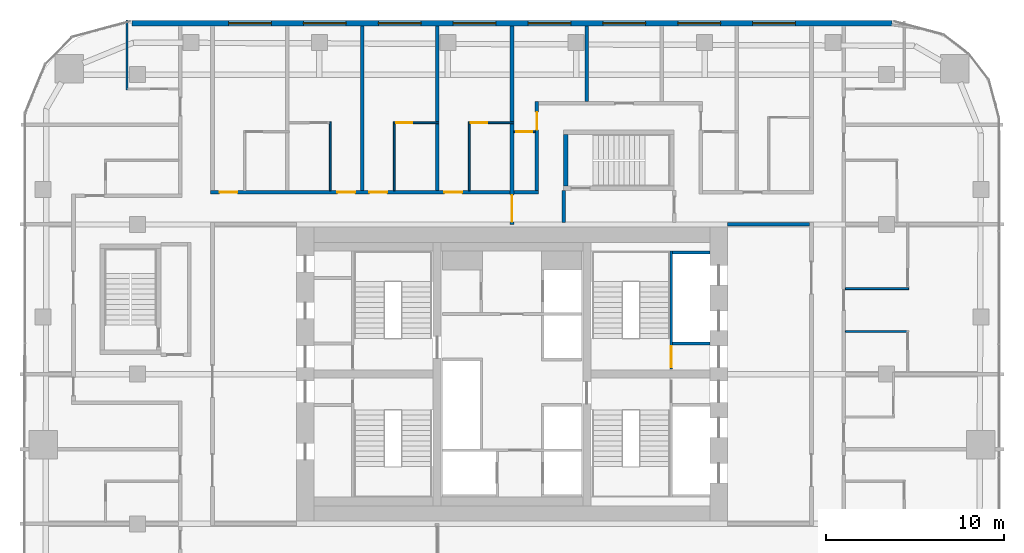
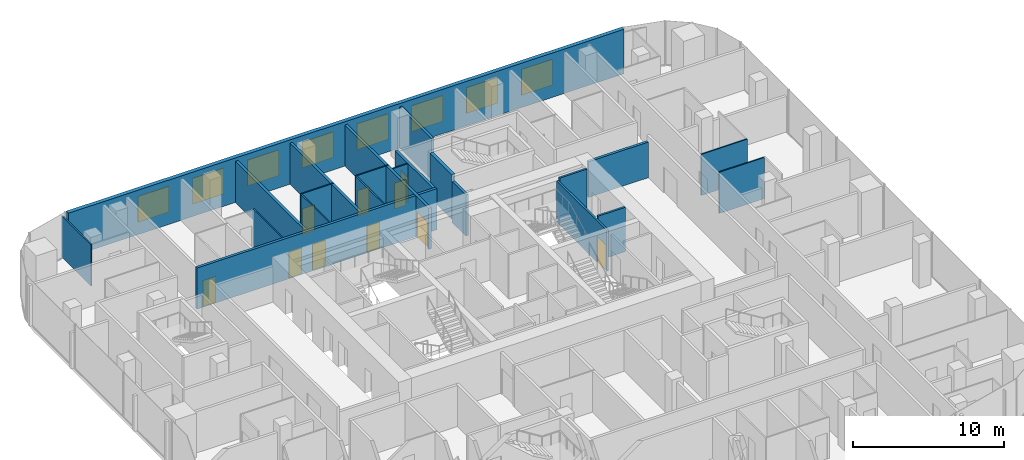
# One storey, part 19 of 23: 22 walls, 10 doors, 8 windows, 18 openings.
"""IFC4 building model written with IfcOpenShell, lengths in metres."""

from ifc_helpers import new_model, si_unit, direction, frame, frame_2d, origin, place, context, subcontext, project, spatial, rectangle, extrude, material, layer, layer_set, type_object, element, fill, save


model = new_model("IFC4")

# Units and contexts
model_context = context("Model", 3, precision=1e-05, world=origin(), true_north=direction((0.0, 1.0)))
body_context = subcontext(model_context, "Body", "Model", "MODEL_VIEW")
ifc_project = project(units=[si_unit("LENGTHUNIT", "METRE"), si_unit("AREAUNIT", "SQUARE_METRE"), si_unit("VOLUMEUNIT", "CUBIC_METRE"), si_unit("PLANEANGLEUNIT", "RADIAN"), si_unit("MASSUNIT", "GRAM", prefix="KILO")], contexts=[model_context])

# Site, building, storey
site_placement = place(None, origin())
site = spatial("IfcSite", under=ifc_project, at=site_placement, CompositionType="ELEMENT")
building_placement = place(site_placement, origin())
building = spatial("IfcBuilding", under=site, at=building_placement, Name="Marenta Gate Hotel Tower", CompositionType="ELEMENT")
storey_placement = place(building_placement, frame((0.0, 0.0, 119.300048828125)))
storey = spatial("IfcBuildingStorey", under=building, at=storey_placement, Name="L26", CompositionType="ELEMENT", Elevation=119.300048828125)

# Wall, openings, windows
ifc_material_1 = material(Name="Concrete C40 board-marked", Category="concrete")
ifc_layer_1 = layer(ifc_material_1, 0.300048828125)
ifc_layer_set_1 = layer_set([ifc_layer_1], Name="Concrete C40 board-marked")
wall_type_1 = type_object("IfcWallType", Name="Board-marked concrete wall 300 mm", PredefinedType="NOTDEFINED", material=ifc_layer_set_1)
wall_1_placement = place(storey_placement, frame((21.305908203125, 28.090087890625, 0.0), z_axis=(0.0, 0.0, 1.0), x_axis=(-1.0, 0.0, 0.0)))
wall_1 = element("IfcWall", 1, at=wall_1_placement, inside=storey, type_object=wall_type_1, Name="L26-CLD-N00", PredefinedType="NOTDEFINED", context=body_context, shape_type="SweptSolid", body=[
    extrude(rectangle(XDim=42.61181640625, YDim=0.300048828125, at=frame_2d((21.305908203125, 0.0))), origin(), (0.0, 0.0, 1.0), 3.599853515625),
])
opening_1_placement = place(wall_1_placement, frame((5.406005859375, 0.0, 0.89990234375)))
opening_1 = element("IfcOpeningElement", 2, at=opening_1_placement, cuts=wall_1, Name="Opening W1", PredefinedType="OPENING", context=body_context, shape_type="SweptSolid", body=[
    extrude(rectangle(XDim=2.39990234375, YDim=2.10009765625, at=frame_2d((1.199951171875, 1.050048828125))), frame((0.0, 0.14990234375, 0.0), z_axis=(0.0, -1.0, 0.0), x_axis=(1.0, 0.0, 0.0)), (0.0, 0.0, 1.0), 0.300048828125),
])
opening_2_placement = place(wall_1_placement, frame((9.60595703125, 0.0, 0.89990234375)))
opening_2 = element("IfcOpeningElement", 3, at=opening_2_placement, cuts=wall_1, Name="Opening W1", PredefinedType="OPENING", context=body_context, shape_type="SweptSolid", body=[
    extrude(rectangle(XDim=2.39990234375, YDim=2.10009765625, at=frame_2d((1.199951171875, 1.050048828125))), frame((0.0, 0.14990234375, 0.0), z_axis=(0.0, -1.0, 0.0), x_axis=(1.0, 0.0, 0.0)), (0.0, 0.0, 1.0), 0.300048828125),
])
opening_3_placement = place(wall_1_placement, frame((13.805908203125, 0.0, 0.89990234375)))
opening_3 = element("IfcOpeningElement", 4, at=opening_3_placement, cuts=wall_1, Name="Opening W1", PredefinedType="OPENING", context=body_context, shape_type="SweptSolid", body=[
    extrude(rectangle(XDim=2.39990234375, YDim=2.10009765625, at=frame_2d((1.199951171875, 1.050048828125))), frame((0.0, 0.14990234375, 0.0), z_axis=(0.0, -1.0, 0.0), x_axis=(1.0, 0.0, 0.0)), (0.0, 0.0, 1.0), 0.300048828125),
])
opening_4_placement = place(wall_1_placement, frame((18.005859375, 0.0, 0.89990234375)))
opening_4 = element("IfcOpeningElement", 5, at=opening_4_placement, cuts=wall_1, Name="Opening W1", PredefinedType="OPENING", context=body_context, shape_type="SweptSolid", body=[
    extrude(rectangle(XDim=2.39990234375, YDim=2.10009765625, at=frame_2d((1.199951171875, 1.050048828125))), frame((0.0, 0.14990234375, 0.0), z_axis=(0.0, -1.0, 0.0), x_axis=(1.0, 0.0, 0.0)), (0.0, 0.0, 1.0), 0.300048828125),
])
opening_5_placement = place(wall_1_placement, frame((22.205810546875, 0.0, 0.89990234375)))
opening_5 = element("IfcOpeningElement", 6, at=opening_5_placement, cuts=wall_1, Name="Opening W1", PredefinedType="OPENING", context=body_context, shape_type="SweptSolid", body=[
    extrude(rectangle(XDim=2.39990234375, YDim=2.10009765625, at=frame_2d((1.199951171875, 1.050048828125))), frame((0.0, 0.14990234375, 0.0), z_axis=(0.0, -1.0, 0.0), x_axis=(1.0, 0.0, 0.0)), (0.0, 0.0, 1.0), 0.300048828125),
])
opening_6_placement = place(wall_1_placement, frame((26.406005859375, 0.0, 0.89990234375)))
opening_6 = element("IfcOpeningElement", 7, at=opening_6_placement, cuts=wall_1, Name="Opening W1", PredefinedType="OPENING", context=body_context, shape_type="SweptSolid", body=[
    extrude(rectangle(XDim=2.39990234375, YDim=2.10009765625, at=frame_2d((1.199951171875, 1.050048828125))), frame((0.0, 0.14990234375, 0.0), z_axis=(0.0, -1.0, 0.0), x_axis=(1.0, 0.0, 0.0)), (0.0, 0.0, 1.0), 0.300048828125),
])
opening_7_placement = place(wall_1_placement, frame((30.60595703125, 0.0, 0.89990234375)))
opening_7 = element("IfcOpeningElement", 8, at=opening_7_placement, cuts=wall_1, Name="Opening W1", PredefinedType="OPENING", context=body_context, shape_type="SweptSolid", body=[
    extrude(rectangle(XDim=2.39990234375, YDim=2.10009765625, at=frame_2d((1.199951171875, 1.050048828125))), frame((0.0, 0.14990234375, 0.0), z_axis=(0.0, -1.0, 0.0), x_axis=(1.0, 0.0, 0.0)), (0.0, 0.0, 1.0), 0.300048828125),
])
opening_8_placement = place(wall_1_placement, frame((34.805908203125, 0.0, 0.89990234375)))
opening_8 = element("IfcOpeningElement", 9, at=opening_8_placement, cuts=wall_1, Name="Opening W1", PredefinedType="OPENING", context=body_context, shape_type="SweptSolid", body=[
    extrude(rectangle(XDim=2.39990234375, YDim=2.10009765625, at=frame_2d((1.199951171875, 1.050048828125))), frame((0.0, 0.14990234375, 0.0), z_axis=(0.0, -1.0, 0.0), x_axis=(1.0, 0.0, 0.0)), (0.0, 0.0, 1.0), 0.300048828125),
])
ifc_material_2 = material(Name="Tinted insulated glass in bronze anodised frame", Category="glass")
window_type = type_object("IfcWindowType", Name="Window W1 2400x2100 bronze frame", PartitioningType="SINGLE_PANEL", PredefinedType="WINDOW", material=ifc_material_2)
window_1_placement = place(opening_1_placement, origin())
window_1 = element("IfcWindow", 10, at=window_1_placement, inside=storey, type_object=window_type, Name="Window W1", OverallHeight=2.10009765625, OverallWidth=2.39990234375, PartitioningType="SINGLE_PANEL", PredefinedType="WINDOW", context=body_context, shape_type="SweptSolid", body=[
    extrude(rectangle(XDim=2.39990234375, YDim=2.10009765625, at=frame_2d((1.199951171875, 1.050048828125))), frame((0.0, 0.030029296875, 0.0), z_axis=(0.0, -1.0, 0.0), x_axis=(1.0, 0.0, 0.0)), (0.0, 0.0, 1.0), 0.06005859375),
])
fill(opening_1, window_1)
window_2_placement = place(opening_2_placement, origin())
window_2 = element("IfcWindow", 11, at=window_2_placement, inside=storey, type_object=window_type, Name="Window W1", OverallHeight=2.10009765625, OverallWidth=2.39990234375, PartitioningType="SINGLE_PANEL", PredefinedType="WINDOW", context=body_context, shape_type="SweptSolid", body=[
    extrude(rectangle(XDim=2.39990234375, YDim=2.10009765625, at=frame_2d((1.199951171875, 1.050048828125))), frame((0.0, 0.030029296875, 0.0), z_axis=(0.0, -1.0, 0.0), x_axis=(1.0, 0.0, 0.0)), (0.0, 0.0, 1.0), 0.06005859375),
])
fill(opening_2, window_2)
window_3_placement = place(opening_3_placement, origin())
window_3 = element("IfcWindow", 12, at=window_3_placement, inside=storey, type_object=window_type, Name="Window W1", OverallHeight=2.10009765625, OverallWidth=2.39990234375, PartitioningType="SINGLE_PANEL", PredefinedType="WINDOW", context=body_context, shape_type="SweptSolid", body=[
    extrude(rectangle(XDim=2.39990234375, YDim=2.10009765625, at=frame_2d((1.199951171875, 1.050048828125))), frame((0.0, 0.030029296875, 0.0), z_axis=(0.0, -1.0, 0.0), x_axis=(1.0, 0.0, 0.0)), (0.0, 0.0, 1.0), 0.06005859375),
])
fill(opening_3, window_3)
window_4_placement = place(opening_4_placement, origin())
window_4 = element("IfcWindow", 13, at=window_4_placement, inside=storey, type_object=window_type, Name="Window W1", OverallHeight=2.10009765625, OverallWidth=2.39990234375, PartitioningType="SINGLE_PANEL", PredefinedType="WINDOW", context=body_context, shape_type="SweptSolid", body=[
    extrude(rectangle(XDim=2.39990234375, YDim=2.10009765625, at=frame_2d((1.199951171875, 1.050048828125))), frame((0.0, 0.030029296875, 0.0), z_axis=(0.0, -1.0, 0.0), x_axis=(1.0, 0.0, 0.0)), (0.0, 0.0, 1.0), 0.06005859375),
])
fill(opening_4, window_4)
window_5_placement = place(opening_5_placement, origin())
window_5 = element("IfcWindow", 14, at=window_5_placement, inside=storey, type_object=window_type, Name="Window W1", OverallHeight=2.10009765625, OverallWidth=2.39990234375, PartitioningType="SINGLE_PANEL", PredefinedType="WINDOW", context=body_context, shape_type="SweptSolid", body=[
    extrude(rectangle(XDim=2.39990234375, YDim=2.10009765625, at=frame_2d((1.199951171875, 1.050048828125))), frame((0.0, 0.030029296875, 0.0), z_axis=(0.0, -1.0, 0.0), x_axis=(1.0, 0.0, 0.0)), (0.0, 0.0, 1.0), 0.06005859375),
])
fill(opening_5, window_5)
window_6_placement = place(opening_6_placement, origin())
window_6 = element("IfcWindow", 15, at=window_6_placement, inside=storey, type_object=window_type, Name="Window W1", OverallHeight=2.10009765625, OverallWidth=2.39990234375, PartitioningType="SINGLE_PANEL", PredefinedType="WINDOW", context=body_context, shape_type="SweptSolid", body=[
    extrude(rectangle(XDim=2.39990234375, YDim=2.10009765625, at=frame_2d((1.199951171875, 1.050048828125))), frame((0.0, 0.030029296875, 0.0), z_axis=(0.0, -1.0, 0.0), x_axis=(1.0, 0.0, 0.0)), (0.0, 0.0, 1.0), 0.06005859375),
])
fill(opening_6, window_6)
window_7_placement = place(opening_7_placement, origin())
window_7 = element("IfcWindow", 16, at=window_7_placement, inside=storey, type_object=window_type, Name="Window W1", OverallHeight=2.10009765625, OverallWidth=2.39990234375, PartitioningType="SINGLE_PANEL", PredefinedType="WINDOW", context=body_context, shape_type="SweptSolid", body=[
    extrude(rectangle(XDim=2.39990234375, YDim=2.10009765625, at=frame_2d((1.199951171875, 1.050048828125))), frame((0.0, 0.030029296875, 0.0), z_axis=(0.0, -1.0, 0.0), x_axis=(1.0, 0.0, 0.0)), (0.0, 0.0, 1.0), 0.06005859375),
])
fill(opening_7, window_7)
window_8_placement = place(opening_8_placement, origin())
window_8 = element("IfcWindow", 17, at=window_8_placement, inside=storey, type_object=window_type, Name="Window W1", OverallHeight=2.10009765625, OverallWidth=2.39990234375, PartitioningType="SINGLE_PANEL", PredefinedType="WINDOW", context=body_context, shape_type="SweptSolid", body=[
    extrude(rectangle(XDim=2.39990234375, YDim=2.10009765625, at=frame_2d((1.199951171875, 1.050048828125))), frame((0.0, 0.030029296875, 0.0), z_axis=(0.0, -1.0, 0.0), x_axis=(1.0, 0.0, 0.0)), (0.0, 0.0, 1.0), 0.06005859375),
])
fill(opening_8, window_8)

# Wall, opening, door
ifc_material_3 = material(Name="Concrete blockwork", Category="masonry")
ifc_layer_2 = layer(ifc_material_3, 0.199951171875)
ifc_layer_set_2 = layer_set([ifc_layer_2], Name="Concrete blockwork")
wall_type_2 = type_object("IfcWallType", Name="Compartment wall 200 REI 180", PredefinedType="PARTITIONING", material=ifc_layer_set_2)
wall_2_placement = place(storey_placement, frame((0.0, 16.800048828125, 0.0), z_axis=(0.0, 0.0, 1.0), x_axis=(0.0, 1.0, 0.0)))
wall_2 = element("IfcWall", 18, at=wall_2_placement, inside=storey, type_object=wall_type_2, Name="L26-PTN-W064", PredefinedType="PARTITIONING", context=body_context, shape_type="SweptSolid", body=[
    extrude(rectangle(XDim=11.139892578125, YDim=0.199951171875, at=frame_2d((5.56982421875, 0.0))), origin(), (0.0, 0.0, 1.0), 3.33984375),
])
opening_9_placement = place(wall_2_placement, frame((0.14990234375, 0.0, 0.0)))
opening_9 = element("IfcOpeningElement", 19, at=opening_9_placement, cuts=wall_2, Name="Opening G09-FD1", PredefinedType="OPENING", context=body_context, shape_type="SweptSolid", body=[
    extrude(rectangle(XDim=1.5, YDim=2.10009765625, at=frame_2d((0.75, 1.050048828125))), frame((0.0, 0.10009765625, 0.0), z_axis=(0.0, -1.0, 0.0), x_axis=(1.0, 0.0, 0.0)), (0.0, 0.0, 1.0), 0.199951171875),
])
ifc_material_4 = material(Name="Hollow steel door set", Category="steel")
door_type_1 = type_object("IfcDoorType", Name="Compartment fire door 1500x2100 EI 60", OperationType="DOUBLE_DOOR_DOUBLE_SWING", PredefinedType="DOOR", material=ifc_material_4)
door_1_placement = place(opening_9_placement, origin())
door_1 = element("IfcDoor", 20, at=door_1_placement, inside=storey, type_object=door_type_1, Name="L26-PD-FD01", OperationType="DOUBLE_DOOR_DOUBLE_SWING", OverallHeight=2.10009765625, OverallWidth=1.5, PredefinedType="DOOR", context=body_context, shape_type="SweptSolid", body=[
    extrude(rectangle(XDim=1.5, YDim=2.10009765625, at=frame_2d((0.75, 1.050048828125))), frame((0.0, 0.02490234375, 0.0), z_axis=(0.0, -1.0, 0.0), x_axis=(1.0, 0.0, 0.0)), (0.0, 0.0, 1.0), 0.050048828125),
])
fill(opening_9, door_1)

# Walls
ifc_material_5 = material(Name="Concrete blockwork", Category="masonry")
ifc_layer_3 = layer(ifc_material_5, 0.199951171875)
ifc_layer_set_3 = layer_set([ifc_layer_3], Name="Concrete blockwork")
wall_type_3 = type_object("IfcWallType", Name="Core boundary wall 200 REI 180", PredefinedType="PARTITIONING", material=ifc_layer_set_3)
wall_3_placement = place(storey_placement, frame((12.10009765625, 16.800048828125, 0.0), z_axis=(0.0, 0.0, 1.0), x_axis=(1.0, 0.0, 0.0)))
element("IfcWall", 21, at=wall_3_placement, inside=storey, type_object=wall_type_3, Name="L26-CP-EW-EN", PredefinedType="PARTITIONING", context=body_context, shape_type="SweptSolid", body=[
    extrude(rectangle(XDim=4.599853515625, YDim=0.199951171875, at=frame_2d((2.2998046875, 0.0))), origin(), (0.0, 0.0, 1.0), 2.889892578125),
])
ifc_material_6 = material(Name="Concrete C40", Category="concrete")
ifc_layer_4 = layer(ifc_material_6, 0.14990234375)
ifc_layer_set_4 = layer_set([ifc_layer_4], Name="Concrete C40")
wall_type_4 = type_object("IfcWallType", Name="Core shaft wall 150 REI 180", PredefinedType="SHEAR", material=ifc_layer_set_4)
for number, where, z_axis, x_axis, name in (
    (22, (9.0, 10.125, 0.0), (0.0, 0.0, 1.0), (1.0, 0.0, 0.0), "L26-SHF-SW-EN-2"),
    (23, (9.0, 15.22509765625, 0.0), (0.0, 0.0, 1.0), (1.0, 0.0, 0.0), "L26-SHF-SW-EN-5"),
):
    element("IfcWall", number, at=place(storey_placement, frame(where, z_axis=z_axis, x_axis=x_axis)), inside=storey, type_object=wall_type_4, Name=name, PredefinedType="SHEAR", context=body_context, shape_type="SweptSolid", body=[
        extrude(rectangle(XDim=2.10009765625, YDim=0.14990234375, at=frame_2d((1.050048828125, 0.0))), origin(), (0.0, 0.0, 1.0), 3.599853515625),
    ])

# Wall, opening, door
ifc_material_7 = material(Name="Concrete C40", Category="concrete")
ifc_layer_5 = layer(ifc_material_7, 0.14990234375)
ifc_layer_set_5 = layer_set([ifc_layer_5], Name="Concrete C40")
wall_type_5 = type_object("IfcWallType", Name="Core stair enclosure wall 150 REI 180", PredefinedType="SHEAR", material=ifc_layer_set_5)
wall_4_placement = place(storey_placement, frame((8.925048828125, 8.699951171875, 0.0), z_axis=(0.0, 0.0, 1.0), x_axis=(0.0, 1.0, 0.0)))
wall_4 = element("IfcWall", 24, at=wall_4_placement, inside=storey, type_object=wall_type_5, Name="L26-SHF-SW-EN-3", PredefinedType="SHEAR", context=body_context, shape_type="SweptSolid", body=[
    extrude(rectangle(XDim=6.60009765625, YDim=0.14990234375, at=frame_2d((3.300048828125, 0.0))), origin(), (0.0, 0.0, 1.0), 3.33984375),
])
opening_10_placement = place(wall_4_placement, frame((0.074951171875, 0.0, 0.0)))
opening_10 = element("IfcOpeningElement", 25, at=opening_10_placement, cuts=wall_4, Name="Opening SD-EN", PredefinedType="OPENING", context=body_context, shape_type="SweptSolid", body=[
    extrude(rectangle(XDim=1.199951171875, YDim=2.10009765625, at=frame_2d((0.60009765625, 1.050048828125))), frame((0.0, 0.074951171875, 0.0), z_axis=(0.0, -1.0, 0.0), x_axis=(1.0, 0.0, 0.0)), (0.0, 0.0, 1.0), 0.14990234375),
])
ifc_material_8 = material(Name="Steel", Category="steel")
door_type_2 = type_object("IfcDoorType", Name="Core stair door 1200x2100 FD60", OperationType="SINGLE_SWING_LEFT", PredefinedType="DOOR", material=ifc_material_8)
door_2_placement = place(opening_10_placement, origin())
door_2 = element("IfcDoor", 26, at=door_2_placement, inside=storey, type_object=door_type_2, Name="SD-EN", OperationType="SINGLE_SWING_LEFT", OverallHeight=2.10009765625, OverallWidth=1.199951171875, PredefinedType="DOOR", context=body_context, shape_type="SweptSolid", body=[
    extrude(rectangle(XDim=1.199951171875, YDim=2.10009765625, at=frame_2d((0.60009765625, 1.050048828125))), frame((0.0, 0.02490234375, 0.0), z_axis=(0.0, -1.0, 0.0), x_axis=(1.0, 0.0, 0.0)), (0.0, 0.0, 1.0), 0.050048828125),
])
fill(opening_10, door_2)

# Wall
ifc_material_9 = material(Name="Concrete C40", Category="concrete")
ifc_layer_6 = layer(ifc_material_9, 0.25)
ifc_layer_set_6 = layer_set([ifc_layer_6], Name="Concrete C40")
wall_type_6 = type_object("IfcWallType", Name="Remote stair enclosure wall 250 REI 180", PredefinedType="SHEAR", material=ifc_layer_set_6)
wall_5_placement = place(storey_placement, frame((3.02490234375, 18.949951171875, 0.099853515625), z_axis=(0.0, 0.0, 1.0), x_axis=(0.0, 1.0, 0.0)))
element("IfcWall", 27, at=wall_5_placement, inside=storey, type_object=wall_type_6, Name="L26-RS-Z2-4-W3", PredefinedType="SHEAR", context=body_context, shape_type="SweptSolid", body=[
    extrude(rectangle(XDim=2.900146484375, YDim=0.25, at=frame_2d((1.4501953125, 0.0))), origin(), (0.0, 0.0, 1.0), 3.60009765625),
])

# Wall, opening, door
ifc_material_10 = material(Name="Gypsum board on steel stud", Category="steel")
ifc_layer_7 = layer(ifc_material_10, 0.199951171875)
ifc_layer_set_7 = layer_set([ifc_layer_7], Name="Gypsum board on steel stud")
wall_type_7 = type_object("IfcWallType", Name="Room corridor wall 200 EI 60", PredefinedType="PARTITIONING", material=ifc_layer_set_7)
wall_6_placement = place(storey_placement, frame((1.39990234375, 18.699951171875, 0.0), z_axis=(0.0, 0.0, 1.0), x_axis=(0.0, 1.0, 0.0)))
wall_6 = element("IfcWall", 28, at=wall_6_placement, inside=storey, type_object=wall_type_7, Name="L26-PTN-W062", PredefinedType="PARTITIONING", context=body_context, shape_type="SweptSolid", body=[
    extrude(rectangle(XDim=5.0, YDim=0.199951171875, at=frame_2d((2.5, 0.0))), origin(), (0.0, 0.0, 1.0), 3.33984375),
])
opening_11_placement = place(wall_6_placement, frame((3.39990234375, 0.0, 0.0)))
opening_11 = element("IfcOpeningElement", 29, at=opening_11_placement, cuts=wall_6, Name="Opening G09-34", PredefinedType="OPENING", context=body_context, shape_type="SweptSolid", body=[
    extrude(rectangle(XDim=1.0, YDim=2.10009765625, at=frame_2d((0.5, 1.050048828125))), frame((0.0, 0.10009765625, 0.0), z_axis=(0.0, -1.0, 0.0), x_axis=(1.0, 0.0, 0.0)), (0.0, 0.0, 1.0), 0.199951171875),
])
ifc_material_11 = material(Name="Timber door leaf", Category="wood")
door_type_3 = type_object("IfcDoorType", Name="Guest room door 1000x2100 EI 30", OperationType="NOTDEFINED", PredefinedType="DOOR", material=ifc_material_11)
door_3_placement = place(opening_11_placement, origin())
door_3 = element("IfcDoor", 30, at=door_3_placement, inside=storey, type_object=door_type_3, Name="L26-PD-D034", OperationType="SINGLE_SWING_RIGHT", OverallHeight=2.10009765625, OverallWidth=1.0, PredefinedType="DOOR", context=body_context, shape_type="SweptSolid", body=[
    extrude(rectangle(XDim=1.0, YDim=2.10009765625, at=frame_2d((0.5, 1.050048828125))), frame((0.0, 0.02490234375, 0.0), z_axis=(0.0, -1.0, 0.0), x_axis=(1.0, 0.0, 0.0)), (0.0, 0.0, 1.0), 0.050048828125),
])
fill(opening_11, door_3)

# Wall, openings, doors
wall_7_placement = place(storey_placement, frame((-16.89990234375, 18.60009765625, 0.0), z_axis=(0.0, 0.0, 1.0), x_axis=(1.0, 0.0, 0.0)))
wall_7 = element("IfcWall", 31, at=wall_7_placement, inside=storey, type_object=wall_type_7, Name="L26-PTN-W106", PredefinedType="PARTITIONING", context=body_context, shape_type="SweptSolid", body=[
    extrude(rectangle(XDim=18.39990234375, YDim=0.199951171875, at=frame_2d((9.199951171875, 0.0))), origin(), (0.0, 0.0, 1.0), 3.33984375),
])
opening_12_placement = place(wall_7_placement, frame((0.5, 0.0, 0.0)))
opening_12 = element("IfcOpeningElement", 32, at=opening_12_placement, cuts=wall_7, Name="Opening G09-26", PredefinedType="OPENING", context=body_context, shape_type="SweptSolid", body=[
    extrude(rectangle(XDim=1.0, YDim=2.10009765625, at=frame_2d((0.5, 1.050048828125))), frame((0.0, 0.10009765625, 0.0), z_axis=(0.0, -1.0, 0.0), x_axis=(1.0, 0.0, 0.0)), (0.0, 0.0, 1.0), 0.199951171875),
])
opening_13_placement = place(wall_7_placement, frame((7.10009765625, 0.0, 0.0)))
opening_13 = element("IfcOpeningElement", 33, at=opening_13_placement, cuts=wall_7, Name="Opening G09-28", PredefinedType="OPENING", context=body_context, shape_type="SweptSolid", body=[
    extrude(rectangle(XDim=1.0, YDim=2.10009765625, at=frame_2d((0.5, 1.050048828125))), frame((0.0, 0.10009765625, 0.0), z_axis=(0.0, -1.0, 0.0), x_axis=(1.0, 0.0, 0.0)), (0.0, 0.0, 1.0), 0.199951171875),
])
opening_14_placement = place(wall_7_placement, frame((8.89990234375, 0.0, 0.0)))
opening_14 = element("IfcOpeningElement", 34, at=opening_14_placement, cuts=wall_7, Name="Opening G09-30", PredefinedType="OPENING", context=body_context, shape_type="SweptSolid", body=[
    extrude(rectangle(XDim=1.0, YDim=2.10009765625, at=frame_2d((0.5, 1.050048828125))), frame((0.0, 0.10009765625, 0.0), z_axis=(0.0, -1.0, 0.0), x_axis=(1.0, 0.0, 0.0)), (0.0, 0.0, 1.0), 0.199951171875),
])
opening_15_placement = place(wall_7_placement, frame((13.10009765625, 0.0, 0.0)))
opening_15 = element("IfcOpeningElement", 35, at=opening_15_placement, cuts=wall_7, Name="Opening G09-32", PredefinedType="OPENING", context=body_context, shape_type="SweptSolid", body=[
    extrude(rectangle(XDim=1.0, YDim=2.10009765625, at=frame_2d((0.5, 1.050048828125))), frame((0.0, 0.10009765625, 0.0), z_axis=(0.0, -1.0, 0.0), x_axis=(1.0, 0.0, 0.0)), (0.0, 0.0, 1.0), 0.199951171875),
])
door_4_placement = place(opening_12_placement, origin())
door_4 = element("IfcDoor", 36, at=door_4_placement, inside=storey, type_object=door_type_3, Name="L26-PD-D026", OperationType="SINGLE_SWING_LEFT", OverallHeight=2.10009765625, OverallWidth=1.0, PredefinedType="DOOR", context=body_context, shape_type="SweptSolid", body=[
    extrude(rectangle(XDim=1.0, YDim=2.10009765625, at=frame_2d((0.5, 1.050048828125))), frame((0.0, 0.02490234375, 0.0), z_axis=(0.0, -1.0, 0.0), x_axis=(1.0, 0.0, 0.0)), (0.0, 0.0, 1.0), 0.050048828125),
])
fill(opening_12, door_4)
door_5_placement = place(opening_13_placement, origin())
door_5 = element("IfcDoor", 37, at=door_5_placement, inside=storey, type_object=door_type_3, Name="L26-PD-D028", OperationType="SINGLE_SWING_LEFT", OverallHeight=2.10009765625, OverallWidth=1.0, PredefinedType="DOOR", context=body_context, shape_type="SweptSolid", body=[
    extrude(rectangle(XDim=1.0, YDim=2.10009765625, at=frame_2d((0.5, 1.050048828125))), frame((0.0, 0.02490234375, 0.0), z_axis=(0.0, -1.0, 0.0), x_axis=(1.0, 0.0, 0.0)), (0.0, 0.0, 1.0), 0.050048828125),
])
fill(opening_13, door_5)
door_6_placement = place(opening_14_placement, origin())
door_6 = element("IfcDoor", 38, at=door_6_placement, inside=storey, type_object=door_type_3, Name="L26-PD-D030", OperationType="SINGLE_SWING_LEFT", OverallHeight=2.10009765625, OverallWidth=1.0, PredefinedType="DOOR", context=body_context, shape_type="SweptSolid", body=[
    extrude(rectangle(XDim=1.0, YDim=2.10009765625, at=frame_2d((0.5, 1.050048828125))), frame((0.0, 0.02490234375, 0.0), z_axis=(0.0, -1.0, 0.0), x_axis=(1.0, 0.0, 0.0)), (0.0, 0.0, 1.0), 0.050048828125),
])
fill(opening_14, door_6)
door_7_placement = place(opening_15_placement, origin())
door_7 = element("IfcDoor", 39, at=door_7_placement, inside=storey, type_object=door_type_3, Name="L26-PD-D032", OperationType="SINGLE_SWING_LEFT", OverallHeight=2.10009765625, OverallWidth=1.0, PredefinedType="DOOR", context=body_context, shape_type="SweptSolid", body=[
    extrude(rectangle(XDim=1.0, YDim=2.10009765625, at=frame_2d((0.5, 1.050048828125))), frame((0.0, 0.02490234375, 0.0), z_axis=(0.0, -1.0, 0.0), x_axis=(1.0, 0.0, 0.0)), (0.0, 0.0, 1.0), 0.050048828125),
])
fill(opening_15, door_7)

# Walls
ifc_material_12 = material(Name="Concrete blockwork", Category="masonry")
ifc_layer_8 = layer(ifc_material_12, 0.199951171875)
ifc_layer_set_8 = layer_set([ifc_layer_8], Name="Concrete blockwork")
wall_type_8 = type_object("IfcWallType", Name="Room corridor wall 200 REI 180", PredefinedType="PARTITIONING", material=ifc_layer_set_8)
wall_8_placement = place(storey_placement, frame((2.89990234375, 16.89990234375, 0.0), z_axis=(0.0, 0.0, 1.0), x_axis=(0.0, 1.0, 0.0)))
element("IfcWall", 40, at=wall_8_placement, inside=storey, type_object=wall_type_8, Name="L26-PTN-W057", PredefinedType="PARTITIONING", context=body_context, shape_type="SweptSolid", body=[
    extrude(rectangle(XDim=1.800048828125, YDim=0.199951171875, at=frame_2d((0.89990234375, 0.0))), origin(), (0.0, 0.0, 1.0), 3.33984375),
])
ifc_material_13 = material(Name="Gypsum board on steel stud", Category="steel")
ifc_layer_9 = layer(ifc_material_13, 0.10009765625)
ifc_layer_set_9 = layer_set([ifc_layer_9], Name="Gypsum board on steel stud")
wall_type_9 = type_object("IfcWallType", Name="Room partition 100", PredefinedType="PARTITIONING", material=ifc_layer_set_9)
for number, where, z_axis, x_axis, name in (
    (41, (-2.39990234375, 18.699951171875, 0.0), (0.0, 0.0, 1.0), (0.0, 1.0, 0.0), "L26-PTN-W067"),
    (42, (-6.60009765625, 18.699951171875, 0.0), (0.0, 0.0, 1.0), (0.0, 1.0, 0.0), "L26-PTN-W078"),
):
    element("IfcWall", number, at=place(storey_placement, frame(where, z_axis=z_axis, x_axis=x_axis)), inside=storey, type_object=wall_type_9, Name=name, PredefinedType="PARTITIONING", context=body_context, shape_type="SweptSolid", body=[
        extrude(rectangle(XDim=3.75, YDim=0.10009765625, at=frame_2d((1.875, 0.0))), origin(), (0.0, 0.0, 1.0), 3.33984375),
    ])
wall_9_placement = place(storey_placement, frame((-10.199951171875, 18.699951171875, 0.0), z_axis=(0.0, 0.0, 1.0), x_axis=(0.0, 1.0, 0.0)))
element("IfcWall", 43, at=wall_9_placement, inside=storey, type_object=wall_type_9, Name="L26-PTN-W086", PredefinedType="PARTITIONING", context=body_context, shape_type="SweptSolid", body=[
    extrude(rectangle(XDim=3.85009765625, YDim=0.10009765625, at=frame_2d((1.925048828125, 0.0))), origin(), (0.0, 0.0, 1.0), 3.33984375),
])
wall_10_placement = place(storey_placement, frame((18.699951171875, 10.800048828125, 0.0), z_axis=(0.0, 0.0, 1.0), x_axis=(1.0, 0.0, 0.0)))
element("IfcWall", 44, at=wall_10_placement, inside=storey, type_object=wall_type_9, Name="L26-PTN-W088", PredefinedType="PARTITIONING", context=body_context, shape_type="SweptSolid", body=[
    extrude(rectangle(XDim=3.449951171875, YDim=0.10009765625, at=frame_2d((1.72509765625, 0.0))), origin(), (0.0, 0.0, 1.0), 3.33984375),
])
wall_11_placement = place(storey_placement, frame((18.699951171875, 13.199951171875, 0.0), z_axis=(0.0, 0.0, 1.0), x_axis=(1.0, 0.0, 0.0)))
element("IfcWall", 45, at=wall_11_placement, inside=storey, type_object=wall_type_9, Name="L26-PTN-W093", PredefinedType="PARTITIONING", context=body_context, shape_type="SweptSolid", body=[
    extrude(rectangle(XDim=3.550048828125, YDim=0.10009765625, at=frame_2d((1.77490234375, 0.0))), origin(), (0.0, 0.0, 1.0), 3.33984375),
])
wall_12_placement = place(storey_placement, frame((-21.60009765625, 24.35009765625, 0.0), z_axis=(0.0, 0.0, 1.0), x_axis=(0.0, 1.0, 0.0)))
element("IfcWall", 46, at=wall_12_placement, inside=storey, type_object=wall_type_9, Name="L26-PTN-W112", PredefinedType="PARTITIONING", context=body_context, shape_type="SweptSolid", body=[
    extrude(rectangle(XDim=3.910888671875, YDim=0.10009765625, at=frame_2d((1.95556640625, 0.0))), origin(), (0.0, 0.0, 1.0), 3.33984375),
])

# Wall, opening, door
wall_13_placement = place(storey_placement, frame((0.10009765625, 22.0, 0.0), z_axis=(0.0, 0.0, 1.0), x_axis=(1.0, 0.0, 0.0)))
wall_13 = element("IfcWall", 47, at=wall_13_placement, inside=storey, type_object=wall_type_9, Name="L26-PTN-W115", PredefinedType="PARTITIONING", context=body_context, shape_type="SweptSolid", body=[
    extrude(rectangle(XDim=1.199951171875, YDim=0.10009765625, at=frame_2d((0.60009765625, 0.0))), origin(), (0.0, 0.0, 1.0), 3.33984375),
])
opening_16_placement = place(wall_13_placement, frame((0.14990234375, 0.0, 0.0)))
opening_16 = element("IfcOpeningElement", 48, at=opening_16_placement, cuts=wall_13, Name="Opening G09-35", PredefinedType="OPENING", context=body_context, shape_type="SweptSolid", body=[
    extrude(rectangle(XDim=0.89990234375, YDim=2.10009765625, at=frame_2d((0.449951171875, 1.050048828125))), frame((0.0, 0.050048828125, 0.0), z_axis=(0.0, -1.0, 0.0), x_axis=(1.0, 0.0, 0.0)), (0.0, 0.0, 1.0), 0.10009765625),
])
ifc_material_14 = material(Name="Timber door leaf", Category="wood")
door_type_4 = type_object("IfcDoorType", Name="Guest bathroom door 900x2100", OperationType="NOTDEFINED", PredefinedType="DOOR", material=ifc_material_14)
door_8_placement = place(opening_16_placement, origin())
door_8 = element("IfcDoor", 49, at=door_8_placement, inside=storey, type_object=door_type_4, Name="L26-PD-D035", OperationType="SINGLE_SWING_LEFT", OverallHeight=2.10009765625, OverallWidth=0.89990234375, PredefinedType="DOOR", context=body_context, shape_type="SweptSolid", body=[
    extrude(rectangle(XDim=0.89990234375, YDim=2.10009765625, at=frame_2d((0.449951171875, 1.050048828125))), frame((0.0, 0.02490234375, 0.0), z_axis=(0.0, -1.0, 0.0), x_axis=(1.0, 0.0, 0.0)), (0.0, 0.0, 1.0), 0.050048828125),
])
fill(opening_16, door_8)

wall_14_placement = place(storey_placement, frame((-6.64990234375, 22.5, 0.0), z_axis=(0.0, 0.0, 1.0), x_axis=(1.0, 0.0, 0.0)))
wall_14 = element("IfcWall", 50, at=wall_14_placement, inside=storey, type_object=wall_type_9, Name="L26-PTN-W120", PredefinedType="PARTITIONING", context=body_context, shape_type="SweptSolid", body=[
    extrude(rectangle(XDim=2.5498046875, YDim=0.10009765625, at=frame_2d((1.27490234375, 0.0))), origin(), (0.0, 0.0, 1.0), 3.33984375),
])
opening_17_placement = place(wall_14_placement, frame((0.14990234375, 0.0, 0.0)))
opening_17 = element("IfcOpeningElement", 51, at=opening_17_placement, cuts=wall_14, Name="Opening G09-31", PredefinedType="OPENING", context=body_context, shape_type="SweptSolid", body=[
    extrude(rectangle(XDim=0.89990234375, YDim=2.10009765625, at=frame_2d((0.449951171875, 1.050048828125))), frame((0.0, 0.050048828125, 0.0), z_axis=(0.0, -1.0, 0.0), x_axis=(1.0, 0.0, 0.0)), (0.0, 0.0, 1.0), 0.10009765625),
])
door_9_placement = place(opening_17_placement, origin())
door_9 = element("IfcDoor", 52, at=door_9_placement, inside=storey, type_object=door_type_4, Name="L26-PD-D031", OperationType="SINGLE_SWING_RIGHT", OverallHeight=2.10009765625, OverallWidth=0.89990234375, PredefinedType="DOOR", context=body_context, shape_type="SweptSolid", body=[
    extrude(rectangle(XDim=0.89990234375, YDim=2.10009765625, at=frame_2d((0.449951171875, 1.050048828125))), frame((0.0, 0.02490234375, 0.0), z_axis=(0.0, -1.0, 0.0), x_axis=(1.0, 0.0, 0.0)), (0.0, 0.0, 1.0), 0.050048828125),
])
fill(opening_17, door_9)

wall_15_placement = place(storey_placement, frame((-2.449951171875, 22.5, 0.0), z_axis=(0.0, 0.0, 1.0), x_axis=(1.0, 0.0, 0.0)))
wall_15 = element("IfcWall", 53, at=wall_15_placement, inside=storey, type_object=wall_type_9, Name="L26-PTN-W121", PredefinedType="PARTITIONING", context=body_context, shape_type="SweptSolid", body=[
    extrude(rectangle(XDim=2.550048828125, YDim=0.10009765625, at=frame_2d((1.27490234375, 0.0))), origin(), (0.0, 0.0, 1.0), 3.33984375),
])
opening_18_placement = place(wall_15_placement, frame((0.14990234375, 0.0, 0.0)))
opening_18 = element("IfcOpeningElement", 54, at=opening_18_placement, cuts=wall_15, Name="Opening G09-33", PredefinedType="OPENING", context=body_context, shape_type="SweptSolid", body=[
    extrude(rectangle(XDim=0.89990234375, YDim=2.10009765625, at=frame_2d((0.449951171875, 1.050048828125))), frame((0.0, 0.050048828125, 0.0), z_axis=(0.0, -1.0, 0.0), x_axis=(1.0, 0.0, 0.0)), (0.0, 0.0, 1.0), 0.10009765625),
])
door_10_placement = place(opening_18_placement, origin())
door_10 = element("IfcDoor", 55, at=door_10_placement, inside=storey, type_object=door_type_4, Name="L26-PD-D033", OperationType="SINGLE_SWING_RIGHT", OverallHeight=2.10009765625, OverallWidth=0.89990234375, PredefinedType="DOOR", context=body_context, shape_type="SweptSolid", body=[
    extrude(rectangle(XDim=0.89990234375, YDim=2.10009765625, at=frame_2d((0.449951171875, 1.050048828125))), frame((0.0, 0.02490234375, 0.0), z_axis=(0.0, -1.0, 0.0), x_axis=(1.0, 0.0, 0.0)), (0.0, 0.0, 1.0), 0.050048828125),
])
fill(opening_18, door_10)

# Walls
ifc_material_15 = material(Name="Concrete blockwork", Category="masonry")
ifc_layer_10 = layer(ifc_material_15, 0.199951171875)
ifc_layer_set_10 = layer_set([ifc_layer_10], Name="Concrete blockwork")
wall_type_10 = type_object("IfcWallType", Name="Room party wall 200 EI 120", PredefinedType="PARTITIONING", material=ifc_layer_set_10)
wall_16_placement = place(storey_placement, frame((4.199951171875, 23.699951171875, 0.0), z_axis=(0.0, 0.0, 1.0), x_axis=(0.0, 1.0, 0.0)))
element("IfcWall", 56, at=wall_16_placement, inside=storey, type_object=wall_type_10, Name="L26-PTN-W055", PredefinedType="PARTITIONING", context=body_context, shape_type="SweptSolid", body=[
    extrude(rectangle(XDim=4.239990234375, YDim=0.199951171875, at=frame_2d((2.1201171875, 0.0))), origin(), (0.0, 0.0, 1.0), 3.33984375),
])
ifc_material_16 = material(Name="Gypsum board on steel stud", Category="steel")
ifc_layer_11 = layer(ifc_material_16, 0.199951171875)
ifc_layer_set_11 = layer_set([ifc_layer_11], Name="Gypsum board on steel stud")
wall_type_11 = type_object("IfcWallType", Name="Room party wall 200 EI 60", PredefinedType="PARTITIONING", material=ifc_layer_set_11)
for number, where, z_axis, x_axis, name in (
    (57, (-4.199951171875, 18.699951171875, 0.0), (0.0, 0.0, 1.0), (0.0, 1.0, 0.0), "L26-PTN-W071"),
    (58, (-8.39990234375, 18.699951171875, 0.0), (0.0, 0.0, 1.0), (0.0, 1.0, 0.0), "L26-PTN-W081"),
):
    element("IfcWall", number, at=place(storey_placement, frame(where, z_axis=z_axis, x_axis=x_axis)), inside=storey, type_object=wall_type_11, Name=name, PredefinedType="PARTITIONING", context=body_context, shape_type="SweptSolid", body=[
        extrude(rectangle(XDim=9.239990234375, YDim=0.199951171875, at=frame_2d((4.6201171875, 0.0))), origin(), (0.0, 0.0, 1.0), 3.33984375),
    ])

save(model, "model.ifc")
